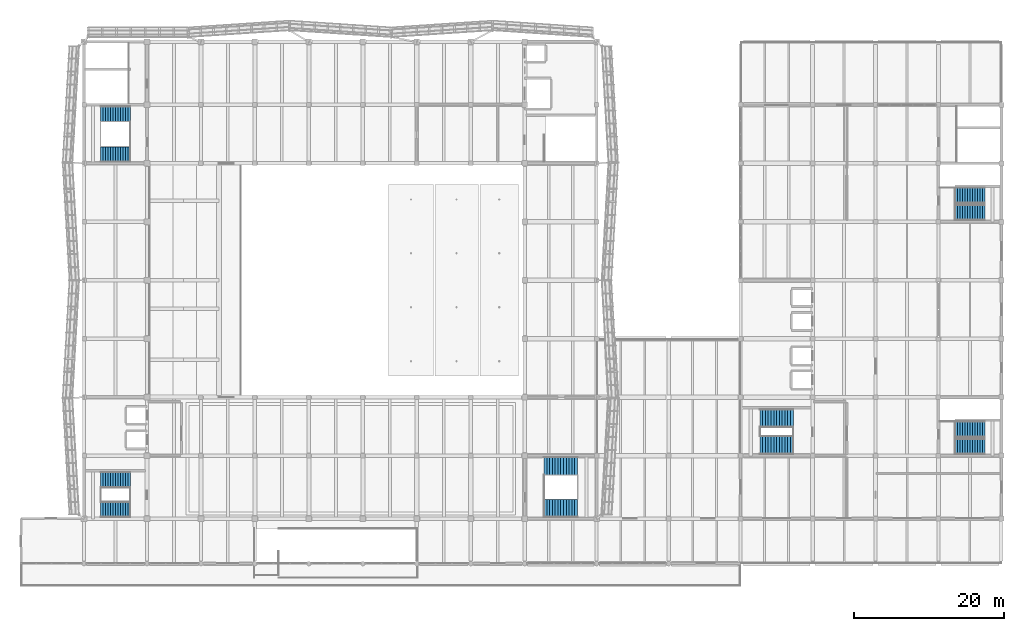
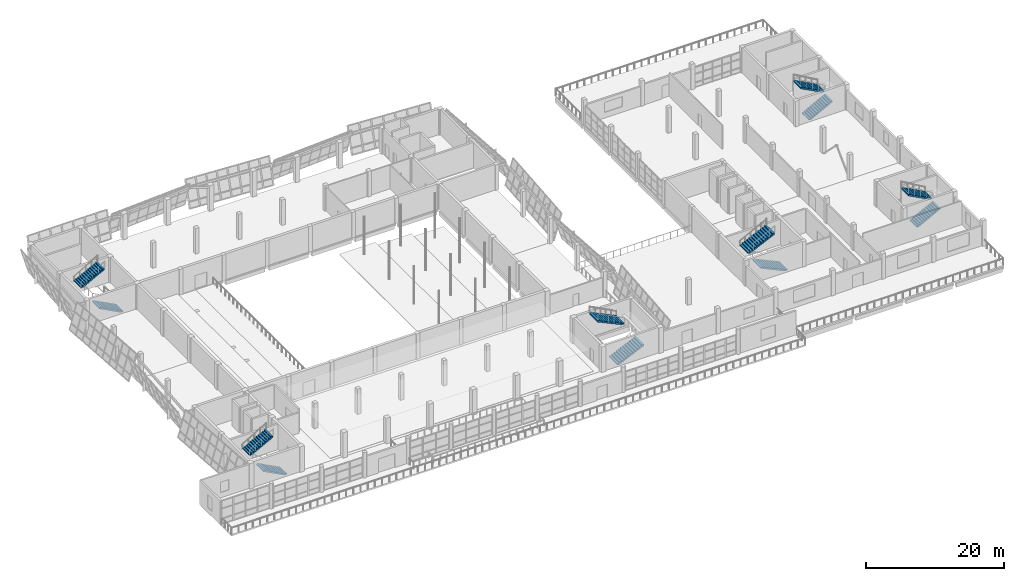
# One storey, part 61 of 71: 12 stair flights, 6 elements without a shape of their own.
"""IFC4 building model written with IfcOpenShell, lengths in metres."""

from ifc_helpers import new_model, si_unit, direction, frame, origin, place, context, subcontext, project, spatial, polyline, outline, extrude, material, type_object, element, aggregate, save


model = new_model("IFC4")

# Units and contexts
model_context = context("Model", 3, precision=1e-05, world=origin(), true_north=direction((0.0, 1.0)))
body_context = subcontext(model_context, "Body", "Model", "MODEL_VIEW")
ifc_project = project(units=[si_unit("LENGTHUNIT", "METRE"), si_unit("AREAUNIT", "SQUARE_METRE"), si_unit("VOLUMEUNIT", "CUBIC_METRE"), si_unit("PLANEANGLEUNIT", "RADIAN"), si_unit("MASSUNIT", "GRAM", prefix="KILO")], contexts=[model_context])

# Site, building, storey
site_placement = place(None, origin())
site = spatial("IfcSite", under=ifc_project, at=site_placement, CompositionType="ELEMENT")
building_placement = place(site_placement, origin())
building = spatial("IfcBuilding", under=site, at=building_placement, Name="Pellamere Symphony Hall", CompositionType="ELEMENT")
storey_placement = place(building_placement, frame((0.0, 0.0, 15.0)))
storey = spatial("IfcBuildingStorey", under=building, at=storey_placement, Name="L03", CompositionType="ELEMENT", Elevation=15.0)

# Stair, stair flights
ifc_material = material(Name="Concrete 40 MPa", Category="concrete")
stair_type_1 = type_object("IfcStairType", Name="Stair ST-A W2400", PredefinedType="HALF_TURN_STAIR", material=ifc_material)
stair_1_placement = place(storey_placement, origin())
stair_1 = element("IfcStair", 1, at=stair_1_placement, inside=storey, type_object=stair_type_1, Name="Exit Stair ST02-L03 (L03 to L04)", PredefinedType="HALF_TURN_STAIR")
stair_flight_type_1 = type_object("IfcStairFlightType", Name="Stair Flight SF-A W2400", PredefinedType="STRAIGHT", material=ifc_material)
stair_flight_1_placement = place(storey_placement, frame((145.02490234375, 39.760009765625, 0.0), z_axis=(0.0, 0.0, 1.0), x_axis=(-1.0, 0.0, 0.0)))
stair_flight_1 = element("IfcStairFlight", 2, at=stair_flight_1_placement, type_object=stair_flight_type_1, Name="Stair ST02-L03 Lower Flight (L03)", NumberOfRisers=13, NumberOfTreads=12, PredefinedType="STRAIGHT", RiserHeight=0.17308, TreadLength=0.37083, context=body_context, shape_type="SweptSolid", body=[
    extrude(outline(polyline([(0.0, 0.0), (0.0, 0.173095703125), (0.370849609375, 0.173095703125), (0.370849609375, 0.34619140625), (0.74169921875, 0.34619140625), (0.74169921875, 0.519287109375), (1.112548828125, 0.519287109375), (1.112548828125, 0.6923828125), (1.4833984375, 0.6923828125), (1.4833984375, 0.865478515625), (1.854248046875, 0.865478515625), (1.854248046875, 1.03857421875), (2.22509765625, 1.03857421875), (2.22509765625, 1.211669921875), (2.595703125, 1.211669921875), (2.595703125, 1.384521484375), (2.966552734375, 1.384521484375), (2.966552734375, 1.5576171875), (3.33740234375, 1.5576171875), (3.33740234375, 1.730712890625), (3.708251953125, 1.730712890625), (3.708251953125, 1.90380859375), (4.0791015625, 1.90380859375), (4.0791015625, 2.076904296875), (4.449951171875, 2.076904296875), (4.449951171875, 2.25), (4.449951171875, 1.856201171875), (0.47265625, 0.0), (0.0, 0.0)])), frame((0.0, 1.199951171875, 0.0), z_axis=(0.0, -1.0, 0.0), x_axis=(1.0, 0.0, 0.0)), (0.0, 0.0, 1.0), 2.39990234375),
])
stair_flight_2_placement = place(storey_placement, frame((140.574951171875, 43.43994140625, 2.25), z_axis=(0.0, 0.0, 1.0), x_axis=(1.0, 0.0, 0.0)))
stair_flight_2 = element("IfcStairFlight", 3, at=stair_flight_2_placement, type_object=stair_flight_type_1, Name="Stair ST02-L03 Upper Flight (L03)", NumberOfRisers=13, NumberOfTreads=12, PredefinedType="STRAIGHT", RiserHeight=0.17308, TreadLength=0.37083, context=body_context, shape_type="SweptSolid", body=[
    extrude(outline(polyline([(0.0, 0.0), (0.0, 0.173095703125), (0.370849609375, 0.173095703125), (0.370849609375, 0.34619140625), (0.74169921875, 0.34619140625), (0.74169921875, 0.519287109375), (1.112548828125, 0.519287109375), (1.112548828125, 0.6923828125), (1.4833984375, 0.6923828125), (1.4833984375, 0.865478515625), (1.854248046875, 0.865478515625), (1.854248046875, 1.03857421875), (2.22509765625, 1.03857421875), (2.22509765625, 1.211669921875), (2.595703125, 1.211669921875), (2.595703125, 1.384521484375), (2.966552734375, 1.384521484375), (2.966552734375, 1.5576171875), (3.33740234375, 1.5576171875), (3.33740234375, 1.730712890625), (3.708251953125, 1.730712890625), (3.708251953125, 1.90380859375), (4.0791015625, 1.90380859375), (4.0791015625, 2.076904296875), (4.449951171875, 2.076904296875), (4.449951171875, 2.25), (4.449951171875, 1.856201171875), (0.47265625, 0.0), (0.0, 0.0)])), frame((0.0, 1.199951171875, 0.0), z_axis=(0.0, -1.0, 0.0), x_axis=(1.0, 0.0, 0.0)), (0.0, 0.0, 1.0), 2.39990234375),
])
aggregate(stair_1, [stair_flight_1, stair_flight_2])

stair_2_placement = place(storey_placement, origin())
stair_2 = element("IfcStair", 4, at=stair_2_placement, inside=storey, type_object=stair_type_1, Name="Exit Stair ST08-L03 (L03 to L04)", PredefinedType="HALF_TURN_STAIR")
stair_flight_3_placement = place(storey_placement, frame((111.77490234375, 31.360107421875, 0.0), z_axis=(0.0, 0.0, 1.0), x_axis=(1.0, 0.0, 0.0)))
stair_flight_3 = element("IfcStairFlight", 5, at=stair_flight_3_placement, type_object=stair_flight_type_1, Name="Stair ST08-L03 Lower Flight (L03)", NumberOfRisers=13, NumberOfTreads=12, PredefinedType="STRAIGHT", RiserHeight=0.17308, TreadLength=0.37083, context=body_context, shape_type="SweptSolid", body=[
    extrude(outline(polyline([(0.0, 0.0), (0.0, 0.173095703125), (0.370849609375, 0.173095703125), (0.370849609375, 0.34619140625), (0.74169921875, 0.34619140625), (0.74169921875, 0.519287109375), (1.112548828125, 0.519287109375), (1.112548828125, 0.6923828125), (1.4833984375, 0.6923828125), (1.4833984375, 0.865478515625), (1.854248046875, 0.865478515625), (1.854248046875, 1.03857421875), (2.22509765625, 1.03857421875), (2.22509765625, 1.211669921875), (2.595703125, 1.211669921875), (2.595703125, 1.384521484375), (2.966552734375, 1.384521484375), (2.966552734375, 1.5576171875), (3.33740234375, 1.5576171875), (3.33740234375, 1.730712890625), (3.708251953125, 1.730712890625), (3.708251953125, 1.90380859375), (4.0791015625, 1.90380859375), (4.0791015625, 2.076904296875), (4.449951171875, 2.076904296875), (4.449951171875, 2.25), (4.449951171875, 1.856201171875), (0.47265625, 0.0), (0.0, 0.0)])), frame((0.0, 1.199951171875, 0.0), z_axis=(0.0, -1.0, 0.0), x_axis=(1.0, 0.0, 0.0)), (0.0, 0.0, 1.0), 2.39990234375),
])
stair_flight_4_placement = place(storey_placement, frame((116.22509765625, 37.0400390625, 2.25), z_axis=(0.0, 0.0, 1.0), x_axis=(-1.0, 0.0, 0.0)))
stair_flight_4 = element("IfcStairFlight", 6, at=stair_flight_4_placement, type_object=stair_flight_type_1, Name="Stair ST08-L03 Upper Flight (L03)", NumberOfRisers=13, NumberOfTreads=12, PredefinedType="STRAIGHT", RiserHeight=0.17308, TreadLength=0.37083, context=body_context, shape_type="SweptSolid", body=[
    extrude(outline(polyline([(0.0, 0.0), (0.0, 0.173095703125), (0.370849609375, 0.173095703125), (0.370849609375, 0.34619140625), (0.74169921875, 0.34619140625), (0.74169921875, 0.519287109375), (1.112548828125, 0.519287109375), (1.112548828125, 0.6923828125), (1.4833984375, 0.6923828125), (1.4833984375, 0.865478515625), (1.854248046875, 0.865478515625), (1.854248046875, 1.03857421875), (2.22509765625, 1.03857421875), (2.22509765625, 1.211669921875), (2.595703125, 1.211669921875), (2.595703125, 1.384521484375), (2.966552734375, 1.384521484375), (2.966552734375, 1.5576171875), (3.33740234375, 1.5576171875), (3.33740234375, 1.730712890625), (3.708251953125, 1.730712890625), (3.708251953125, 1.90380859375), (4.0791015625, 1.90380859375), (4.0791015625, 2.076904296875), (4.449951171875, 2.076904296875), (4.449951171875, 2.25), (4.449951171875, 1.856201171875), (0.47265625, 0.0), (0.0, 0.0)])), frame((0.0, 1.199951171875, 0.0), z_axis=(0.0, -1.0, 0.0), x_axis=(1.0, 0.0, 0.0)), (0.0, 0.0, 1.0), 2.39990234375),
])
aggregate(stair_2, [stair_flight_3, stair_flight_4])

stair_type_2 = type_object("IfcStairType", Name="Stair ST-B W2050", PredefinedType="HALF_TURN_STAIR", material=ifc_material)
stair_3_placement = place(storey_placement, origin())
stair_3 = element("IfcStair", 7, at=stair_3_placement, inside=storey, type_object=stair_type_2, Name="Exit Stair ST01-L03 (L03 to L04)", PredefinedType="HALF_TURN_STAIR")
stair_flight_type_2 = type_object("IfcStairFlightType", Name="Stair Flight SF-B W2050", PredefinedType="STRAIGHT", material=ifc_material)
stair_flight_5_placement = place(storey_placement, frame((56.574951171875, 31.18505859375, 0.0), z_axis=(0.0, 0.0, 1.0), x_axis=(-1.0, 0.0, 0.0)))
stair_flight_5 = element("IfcStairFlight", 8, at=stair_flight_5_placement, type_object=stair_flight_type_2, Name="Stair ST01-L03 Lower Flight (L03)", NumberOfRisers=13, NumberOfTreads=12, PredefinedType="STRAIGHT", RiserHeight=0.17308, TreadLength=0.32917, context=body_context, shape_type="SweptSolid", body=[
    extrude(outline(polyline([(0.0, 0.0), (0.0, 0.173095703125), (0.3291015625, 0.173095703125), (0.3291015625, 0.34619140625), (0.658447265625, 0.34619140625), (0.658447265625, 0.519287109375), (0.987548828125, 0.519287109375), (0.987548828125, 0.6923828125), (1.316650390625, 0.6923828125), (1.316650390625, 0.865478515625), (1.645751953125, 0.865478515625), (1.645751953125, 1.03857421875), (1.97509765625, 1.03857421875), (1.97509765625, 1.211669921875), (2.30419921875, 1.211669921875), (2.30419921875, 1.384521484375), (2.63330078125, 1.384521484375), (2.63330078125, 1.5576171875), (2.962646484375, 1.5576171875), (2.962646484375, 1.730712890625), (3.291748046875, 1.730712890625), (3.291748046875, 1.90380859375), (3.620849609375, 1.90380859375), (3.620849609375, 2.076904296875), (3.949951171875, 2.076904296875), (3.949951171875, 2.25), (3.949951171875, 1.85107421875), (0.4296875, 0.0), (0.0, 0.0)])), frame((0.0, 1.02490234375, 0.0), z_axis=(0.0, -1.0, 0.0), x_axis=(1.0, 0.0, 0.0)), (0.0, 0.0, 1.0), 2.050048828125),
])
stair_flight_6_placement = place(storey_placement, frame((52.625, 35.215087890625, 2.25), z_axis=(0.0, 0.0, 1.0), x_axis=(1.0, 0.0, 0.0)))
stair_flight_6 = element("IfcStairFlight", 9, at=stair_flight_6_placement, type_object=stair_flight_type_2, Name="Stair ST01-L03 Upper Flight (L03)", NumberOfRisers=13, NumberOfTreads=12, PredefinedType="STRAIGHT", RiserHeight=0.17308, TreadLength=0.32917, context=body_context, shape_type="SweptSolid", body=[
    extrude(outline(polyline([(0.0, 0.0), (0.0, 0.173095703125), (0.3291015625, 0.173095703125), (0.3291015625, 0.34619140625), (0.658447265625, 0.34619140625), (0.658447265625, 0.519287109375), (0.987548828125, 0.519287109375), (0.987548828125, 0.6923828125), (1.316650390625, 0.6923828125), (1.316650390625, 0.865478515625), (1.645751953125, 0.865478515625), (1.645751953125, 1.03857421875), (1.97509765625, 1.03857421875), (1.97509765625, 1.211669921875), (2.30419921875, 1.211669921875), (2.30419921875, 1.384521484375), (2.63330078125, 1.384521484375), (2.63330078125, 1.5576171875), (2.962646484375, 1.5576171875), (2.962646484375, 1.730712890625), (3.291748046875, 1.730712890625), (3.291748046875, 1.90380859375), (3.620849609375, 1.90380859375), (3.620849609375, 2.076904296875), (3.949951171875, 2.076904296875), (3.949951171875, 2.25), (3.949951171875, 1.85107421875), (0.4296875, 0.0), (0.0, 0.0)])), frame((0.0, 1.02490234375, 0.0), z_axis=(0.0, -1.0, 0.0), x_axis=(1.0, 0.0, 0.0)), (0.0, 0.0, 1.0), 2.050048828125),
])
aggregate(stair_3, [stair_flight_5, stair_flight_6])

stair_4_placement = place(storey_placement, origin())
stair_4 = element("IfcStair", 10, at=stair_4_placement, inside=storey, type_object=stair_type_2, Name="Exit Stair ST05-L03 (L03 to L04)", PredefinedType="HALF_TURN_STAIR")
stair_flight_7_placement = place(storey_placement, frame((166.625, 70.784912109375, 0.0), z_axis=(0.0, 0.0, 1.0), x_axis=(1.0, 0.0, 0.0)))
stair_flight_7 = element("IfcStairFlight", 11, at=stair_flight_7_placement, type_object=stair_flight_type_2, Name="Stair ST05-L03 Lower Flight (L03)", NumberOfRisers=13, NumberOfTreads=12, PredefinedType="STRAIGHT", RiserHeight=0.17308, TreadLength=0.32917, context=body_context, shape_type="SweptSolid", body=[
    extrude(outline(polyline([(0.0, 0.0), (0.0, 0.173095703125), (0.3291015625, 0.173095703125), (0.3291015625, 0.34619140625), (0.658447265625, 0.34619140625), (0.658447265625, 0.519287109375), (0.987548828125, 0.519287109375), (0.987548828125, 0.6923828125), (1.316650390625, 0.6923828125), (1.316650390625, 0.865478515625), (1.645751953125, 0.865478515625), (1.645751953125, 1.03857421875), (1.97509765625, 1.03857421875), (1.97509765625, 1.211669921875), (2.30419921875, 1.211669921875), (2.30419921875, 1.384521484375), (2.63330078125, 1.384521484375), (2.63330078125, 1.5576171875), (2.962646484375, 1.5576171875), (2.962646484375, 1.730712890625), (3.291748046875, 1.730712890625), (3.291748046875, 1.90380859375), (3.620849609375, 1.90380859375), (3.620849609375, 2.076904296875), (3.949951171875, 2.076904296875), (3.949951171875, 2.25), (3.949951171875, 1.85107421875), (0.4296875, 0.0), (0.0, 0.0)])), frame((0.0, 1.02490234375, 0.0), z_axis=(0.0, -1.0, 0.0), x_axis=(1.0, 0.0, 0.0)), (0.0, 0.0, 1.0), 2.050048828125),
])
stair_flight_8_placement = place(storey_placement, frame((170.574951171875, 73.175048828125, 2.25), z_axis=(0.0, 0.0, 1.0), x_axis=(-1.0, 0.0, 0.0)))
stair_flight_8 = element("IfcStairFlight", 12, at=stair_flight_8_placement, type_object=stair_flight_type_2, Name="Stair ST05-L03 Upper Flight (L03)", NumberOfRisers=13, NumberOfTreads=12, PredefinedType="STRAIGHT", RiserHeight=0.17308, TreadLength=0.32917, context=body_context, shape_type="SweptSolid", body=[
    extrude(outline(polyline([(0.0, 0.0), (0.0, 0.173095703125), (0.3291015625, 0.173095703125), (0.3291015625, 0.34619140625), (0.658447265625, 0.34619140625), (0.658447265625, 0.519287109375), (0.987548828125, 0.519287109375), (0.987548828125, 0.6923828125), (1.316650390625, 0.6923828125), (1.316650390625, 0.865478515625), (1.645751953125, 0.865478515625), (1.645751953125, 1.03857421875), (1.97509765625, 1.03857421875), (1.97509765625, 1.211669921875), (2.30419921875, 1.211669921875), (2.30419921875, 1.384521484375), (2.63330078125, 1.384521484375), (2.63330078125, 1.5576171875), (2.962646484375, 1.5576171875), (2.962646484375, 1.730712890625), (3.291748046875, 1.730712890625), (3.291748046875, 1.90380859375), (3.620849609375, 1.90380859375), (3.620849609375, 2.076904296875), (3.949951171875, 2.076904296875), (3.949951171875, 2.25), (3.949951171875, 1.85107421875), (0.4296875, 0.0), (0.0, 0.0)])), frame((0.0, 1.02490234375, 0.0), z_axis=(0.0, -1.0, 0.0), x_axis=(1.0, 0.0, 0.0)), (0.0, 0.0, 1.0), 2.050048828125),
])
aggregate(stair_4, [stair_flight_7, stair_flight_8])

stair_5_placement = place(storey_placement, origin())
stair_5 = element("IfcStair", 13, at=stair_5_placement, inside=storey, type_object=stair_type_2, Name="Exit Stair ST06-L03 (L03 to L04)", PredefinedType="HALF_TURN_STAIR")
stair_flight_9_placement = place(storey_placement, frame((166.625, 39.5849609375, 0.0), z_axis=(0.0, 0.0, 1.0), x_axis=(1.0, 0.0, 0.0)))
stair_flight_9 = element("IfcStairFlight", 14, at=stair_flight_9_placement, type_object=stair_flight_type_2, Name="Stair ST06-L03 Lower Flight (L03)", NumberOfRisers=13, NumberOfTreads=12, PredefinedType="STRAIGHT", RiserHeight=0.17308, TreadLength=0.32917, context=body_context, shape_type="SweptSolid", body=[
    extrude(outline(polyline([(0.0, 0.0), (0.0, 0.173095703125), (0.3291015625, 0.173095703125), (0.3291015625, 0.34619140625), (0.658447265625, 0.34619140625), (0.658447265625, 0.519287109375), (0.987548828125, 0.519287109375), (0.987548828125, 0.6923828125), (1.316650390625, 0.6923828125), (1.316650390625, 0.865478515625), (1.645751953125, 0.865478515625), (1.645751953125, 1.03857421875), (1.97509765625, 1.03857421875), (1.97509765625, 1.211669921875), (2.30419921875, 1.211669921875), (2.30419921875, 1.384521484375), (2.63330078125, 1.384521484375), (2.63330078125, 1.5576171875), (2.962646484375, 1.5576171875), (2.962646484375, 1.730712890625), (3.291748046875, 1.730712890625), (3.291748046875, 1.90380859375), (3.620849609375, 1.90380859375), (3.620849609375, 2.076904296875), (3.949951171875, 2.076904296875), (3.949951171875, 2.25), (3.949951171875, 1.85107421875), (0.4296875, 0.0), (0.0, 0.0)])), frame((0.0, 1.02490234375, 0.0), z_axis=(0.0, -1.0, 0.0), x_axis=(1.0, 0.0, 0.0)), (0.0, 0.0, 1.0), 2.050048828125),
])
stair_flight_10_placement = place(storey_placement, frame((170.574951171875, 41.97509765625, 2.25), z_axis=(0.0, 0.0, 1.0), x_axis=(-1.0, 0.0, 0.0)))
stair_flight_10 = element("IfcStairFlight", 15, at=stair_flight_10_placement, type_object=stair_flight_type_2, Name="Stair ST06-L03 Upper Flight (L03)", NumberOfRisers=13, NumberOfTreads=12, PredefinedType="STRAIGHT", RiserHeight=0.17308, TreadLength=0.32917, context=body_context, shape_type="SweptSolid", body=[
    extrude(outline(polyline([(0.0, 0.0), (0.0, 0.173095703125), (0.3291015625, 0.173095703125), (0.3291015625, 0.34619140625), (0.658447265625, 0.34619140625), (0.658447265625, 0.519287109375), (0.987548828125, 0.519287109375), (0.987548828125, 0.6923828125), (1.316650390625, 0.6923828125), (1.316650390625, 0.865478515625), (1.645751953125, 0.865478515625), (1.645751953125, 1.03857421875), (1.97509765625, 1.03857421875), (1.97509765625, 1.211669921875), (2.30419921875, 1.211669921875), (2.30419921875, 1.384521484375), (2.63330078125, 1.384521484375), (2.63330078125, 1.5576171875), (2.962646484375, 1.5576171875), (2.962646484375, 1.730712890625), (3.291748046875, 1.730712890625), (3.291748046875, 1.90380859375), (3.620849609375, 1.90380859375), (3.620849609375, 2.076904296875), (3.949951171875, 2.076904296875), (3.949951171875, 2.25), (3.949951171875, 1.85107421875), (0.4296875, 0.0), (0.0, 0.0)])), frame((0.0, 1.02490234375, 0.0), z_axis=(0.0, -1.0, 0.0), x_axis=(1.0, 0.0, 0.0)), (0.0, 0.0, 1.0), 2.050048828125),
])
aggregate(stair_5, [stair_flight_9, stair_flight_10])

stair_6_placement = place(storey_placement, origin())
stair_6 = element("IfcStair", 16, at=stair_6_placement, inside=storey, type_object=stair_type_2, Name="Exit Stair ST07-L03 (L03 to L04)", PredefinedType="HALF_TURN_STAIR")
stair_flight_11_placement = place(storey_placement, frame((56.574951171875, 78.5849609375, 0.0), z_axis=(0.0, 0.0, 1.0), x_axis=(-1.0, 0.0, 0.0)))
stair_flight_11 = element("IfcStairFlight", 17, at=stair_flight_11_placement, type_object=stair_flight_type_2, Name="Stair ST07-L03 Lower Flight (L03)", NumberOfRisers=13, NumberOfTreads=12, PredefinedType="STRAIGHT", RiserHeight=0.17308, TreadLength=0.32917, context=body_context, shape_type="SweptSolid", body=[
    extrude(outline(polyline([(0.0, 0.0), (0.0, 0.173095703125), (0.3291015625, 0.173095703125), (0.3291015625, 0.34619140625), (0.658447265625, 0.34619140625), (0.658447265625, 0.519287109375), (0.987548828125, 0.519287109375), (0.987548828125, 0.6923828125), (1.316650390625, 0.6923828125), (1.316650390625, 0.865478515625), (1.645751953125, 0.865478515625), (1.645751953125, 1.03857421875), (1.97509765625, 1.03857421875), (1.97509765625, 1.211669921875), (2.30419921875, 1.211669921875), (2.30419921875, 1.384521484375), (2.63330078125, 1.384521484375), (2.63330078125, 1.5576171875), (2.962646484375, 1.5576171875), (2.962646484375, 1.730712890625), (3.291748046875, 1.730712890625), (3.291748046875, 1.90380859375), (3.620849609375, 1.90380859375), (3.620849609375, 2.076904296875), (3.949951171875, 2.076904296875), (3.949951171875, 2.25), (3.949951171875, 1.85107421875), (0.4296875, 0.0), (0.0, 0.0)])), frame((0.0, 1.02490234375, 0.0), z_axis=(0.0, -1.0, 0.0), x_axis=(1.0, 0.0, 0.0)), (0.0, 0.0, 1.0), 2.050048828125),
])
stair_flight_12_placement = place(storey_placement, frame((52.625, 84.014892578125, 2.25), z_axis=(0.0, 0.0, 1.0), x_axis=(1.0, 0.0, 0.0)))
stair_flight_12 = element("IfcStairFlight", 18, at=stair_flight_12_placement, type_object=stair_flight_type_2, Name="Stair ST07-L03 Upper Flight (L03)", NumberOfRisers=13, NumberOfTreads=12, PredefinedType="STRAIGHT", RiserHeight=0.17308, TreadLength=0.32917, context=body_context, shape_type="SweptSolid", body=[
    extrude(outline(polyline([(0.0, 0.0), (0.0, 0.173095703125), (0.3291015625, 0.173095703125), (0.3291015625, 0.34619140625), (0.658447265625, 0.34619140625), (0.658447265625, 0.519287109375), (0.987548828125, 0.519287109375), (0.987548828125, 0.6923828125), (1.316650390625, 0.6923828125), (1.316650390625, 0.865478515625), (1.645751953125, 0.865478515625), (1.645751953125, 1.03857421875), (1.97509765625, 1.03857421875), (1.97509765625, 1.211669921875), (2.30419921875, 1.211669921875), (2.30419921875, 1.384521484375), (2.63330078125, 1.384521484375), (2.63330078125, 1.5576171875), (2.962646484375, 1.5576171875), (2.962646484375, 1.730712890625), (3.291748046875, 1.730712890625), (3.291748046875, 1.90380859375), (3.620849609375, 1.90380859375), (3.620849609375, 2.076904296875), (3.949951171875, 2.076904296875), (3.949951171875, 2.25), (3.949951171875, 1.85107421875), (0.4296875, 0.0), (0.0, 0.0)])), frame((0.0, 1.02490234375, 0.0), z_axis=(0.0, -1.0, 0.0), x_axis=(1.0, 0.0, 0.0)), (0.0, 0.0, 1.0), 2.050048828125),
])
aggregate(stair_6, [stair_flight_11, stair_flight_12])

save(model, "model.ifc")
